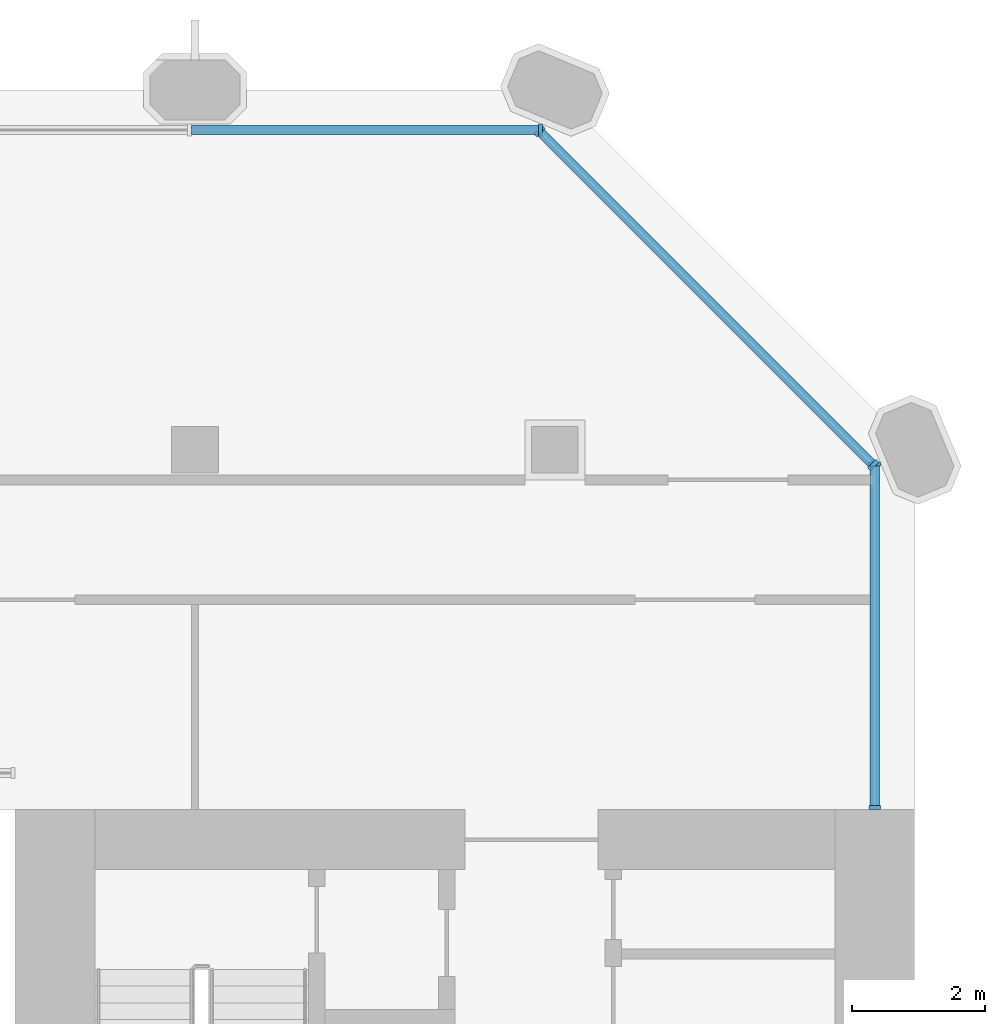
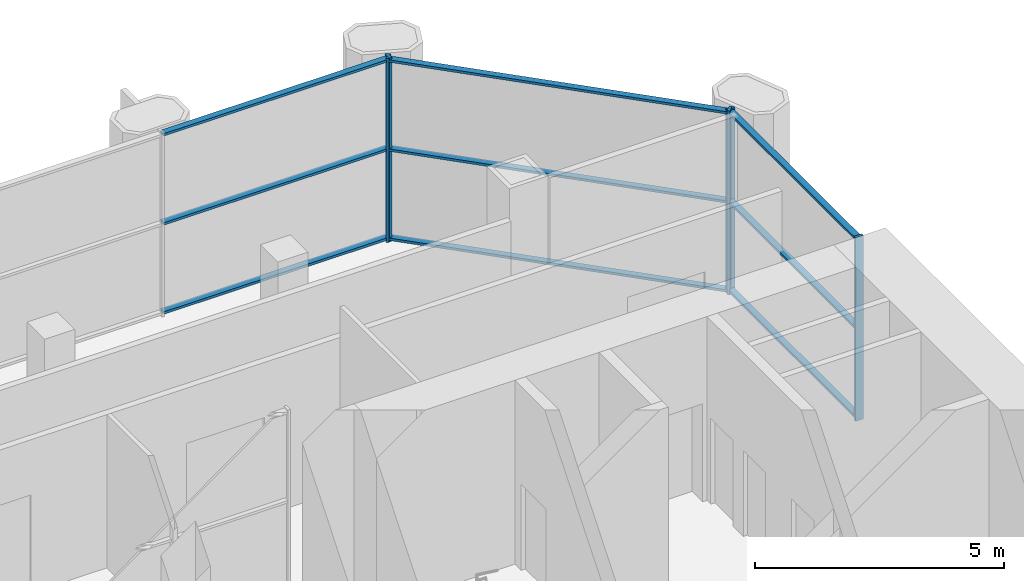
# One storey, part 7 of 14: 14 members, 3 elements without a shape of their own.
"""IFC4 building model written with IfcOpenShell, lengths in metres."""

from ifc_helpers import new_model, si_unit, direction, frame, origin, origin_2d, place, context, subcontext, project, spatial, rectangle, extrude, material, material_profile, profile_set, type_object, element, aggregate, save


model = new_model("IFC4")

# Units and contexts
model_context = context("Model", 3, precision=1e-05, world=origin(), true_north=direction((0.0, 1.0)))
body_context = subcontext(model_context, "Body", "Model", "MODEL_VIEW")
ifc_project = project(units=[si_unit("LENGTHUNIT", "METRE"), si_unit("AREAUNIT", "SQUARE_METRE"), si_unit("VOLUMEUNIT", "CUBIC_METRE"), si_unit("PLANEANGLEUNIT", "RADIAN"), si_unit("MASSUNIT", "GRAM", prefix="KILO")], contexts=[model_context])

# Site, building, storey
site_placement = place(None, origin())
site = spatial("IfcSite", under=ifc_project, at=site_placement, CompositionType="ELEMENT")
building_placement = place(site_placement, origin())
building = spatial("IfcBuilding", under=site, at=building_placement, Name="Tabaq Tower and Sports Hall", CompositionType="ELEMENT")
storey_placement = place(building_placement, frame((0.0, 0.0, 250.89990234375)))
storey = spatial("IfcBuildingStorey", under=building, at=storey_placement, Name="L61", CompositionType="ELEMENT", Elevation=250.89990234375)

# Curtain wall, members
ifc_material_1 = material(Name="Aluminium alloy 6063-T6 framed glazing", Category="aluminium")
curtain_wall_type = type_object("IfcCurtainWallType", Name="CW3 curtain wall", PredefinedType="USERDEFINED", material=ifc_material_1)
curtain_wall_1_placement = place(storey_placement, origin())
curtain_wall_1 = element("IfcCurtainWall", 1, at=curtain_wall_1_placement, inside=storey, type_object=curtain_wall_type, Name="Garden Floor Wall L61 E", ObjectType="GARDEN FLOOR WALL", PredefinedType="USERDEFINED")
ifc_material_2 = material(Name="Aluminium alloy 6063-T6", Category="aluminium")
ifc_material_profile_1 = material_profile(ifc_material_2, rectangle(XDim=0.179931640625, YDim=0.06005859375, at=origin_2d()), Name="MULLION 180x60")
ifc_profile_set_1 = profile_set([ifc_material_profile_1], Name="Aluminium alloy 6063-T6")
member_type_1 = type_object("IfcMemberType", Name="CW3 mullion 180x60", PredefinedType="MULLION", material=ifc_profile_set_1)
member_1_placement = place(storey_placement, frame((42.60009765625, 32.429931640625, 0.0), z_axis=(0.0, 0.0, 1.0), x_axis=(-1.0, 0.0, 0.0)))
member_1 = element("IfcMember", 2, at=member_1_placement, type_object=member_type_1, Name="CW3 mullion 1", PredefinedType="MULLION", context=body_context, shape_type="SweptSolid", body=[
    extrude(rectangle(XDim=0.179931640625, YDim=0.06005859375, at=origin_2d()), origin(), (0.0, 0.0, 1.0), 4.5),
])
member_2_placement = place(storey_placement, frame((42.60009765625, 37.58349609375, 0.0), z_axis=(0.0, 0.0, 1.0), x_axis=(-1.0, 0.0, 0.0)))
member_2 = element("IfcMember", 3, at=member_2_placement, type_object=member_type_1, Name="CW3 mullion 2", PredefinedType="MULLION", context=body_context, shape_type="SweptSolid", body=[
    extrude(rectangle(XDim=0.179931640625, YDim=0.06005859375, at=origin_2d()), origin(), (0.0, 0.0, 1.0), 4.5),
])

curtain_wall_2_placement = place(storey_placement, origin())
curtain_wall_2 = element("IfcCurtainWall", 4, at=curtain_wall_2_placement, inside=storey, type_object=curtain_wall_type, Name="Garden Floor Wall L61 NE", ObjectType="GARDEN FLOOR WALL", PredefinedType="USERDEFINED")
member_3_placement = place(storey_placement, frame((42.578857421875, 37.57275390625, 0.0), z_axis=(0.0, 0.0, 1.0), x_axis=(-0.707106781187, -0.707106781187, 0.0)))
member_3 = element("IfcMember", 5, at=member_3_placement, type_object=member_type_1, Name="CW3 mullion 1", PredefinedType="MULLION", context=body_context, shape_type="SweptSolid", body=[
    extrude(rectangle(XDim=0.179931640625, YDim=0.06005859375, at=origin_2d()), origin(), (0.0, 0.0, 1.0), 4.5),
])
member_4_placement = place(storey_placement, frame((37.57275390625, 42.578857421875, 0.0), z_axis=(0.0, 0.0, 1.0), x_axis=(-0.707106781187, -0.707106781187, 0.0)))
member_4 = element("IfcMember", 6, at=member_4_placement, type_object=member_type_1, Name="CW3 mullion 2", PredefinedType="MULLION", context=body_context, shape_type="SweptSolid", body=[
    extrude(rectangle(XDim=0.179931640625, YDim=0.06005859375, at=origin_2d()), origin(), (0.0, 0.0, 1.0), 4.5),
])

# Curtain wall, member
curtain_wall_3_placement = place(storey_placement, origin())
curtain_wall_3 = element("IfcCurtainWall", 7, at=curtain_wall_3_placement, inside=storey, type_object=curtain_wall_type, Name="Garden Floor Wall L61 N", ObjectType="GARDEN FLOOR WALL", PredefinedType="USERDEFINED")
member_5_placement = place(storey_placement, frame((37.58349609375, 42.60009765625, 0.0), z_axis=(0.0, 0.0, 1.0), x_axis=(0.0, -1.0, 0.0)))
member_5 = element("IfcMember", 8, at=member_5_placement, type_object=member_type_1, Name="CW3 mullion 1", PredefinedType="MULLION", context=body_context, shape_type="SweptSolid", body=[
    extrude(rectangle(XDim=0.179931640625, YDim=0.06005859375, at=origin_2d()), origin(), (0.0, 0.0, 1.0), 4.5),
])

# Member
ifc_material_3 = material(Name="Aluminium alloy 6063-T6", Category="aluminium")
ifc_material_profile_2 = material_profile(ifc_material_3, rectangle(XDim=0.139892578125, YDim=0.06005859375, at=origin_2d()), Name="TRANSOM 140x60")
ifc_profile_set_2 = profile_set([ifc_material_profile_2], Name="Aluminium alloy 6063-T6")
member_type_2 = type_object("IfcMemberType", Name="CW3 transom 140x60", PredefinedType="USERDEFINED", material=ifc_profile_set_2)
member_6_placement = place(storey_placement, frame((42.60009765625, 32.4599609375, 0.070068359375), z_axis=(0.0, 1.0, 0.0), x_axis=(-1.0, 0.0, 0.0)))
member_6 = element("IfcMember", 9, at=member_6_placement, type_object=member_type_2, Name="CW3 transom 1.1", ObjectType="TRANSOM", PredefinedType="USERDEFINED", context=body_context, shape_type="SweptSolid", body=[
    extrude(rectangle(XDim=0.139892578125, YDim=0.06005859375, at=origin_2d()), origin(), (0.0, 0.0, 1.0), 5.09375),
])

member_7_placement = place(storey_placement, frame((42.60009765625, 32.4599609375, 2.25), z_axis=(0.0, 1.0, 0.0), x_axis=(-1.0, 0.0, 0.0)))
member_7 = element("IfcMember", 10, at=member_7_placement, type_object=member_type_2, Name="CW3 transom 1.2", ObjectType="TRANSOM", PredefinedType="USERDEFINED", context=body_context, shape_type="SweptSolid", body=[
    extrude(rectangle(XDim=0.139892578125, YDim=0.06005859375, at=origin_2d()), origin(), (0.0, 0.0, 1.0), 5.09375),
])

member_8_placement = place(storey_placement, frame((42.60009765625, 32.4599609375, 4.43017578125), z_axis=(0.0, 1.0, 0.0), x_axis=(-1.0, 0.0, 0.0)))
member_8 = element("IfcMember", 11, at=member_8_placement, type_object=member_type_2, Name="CW3 transom 1.3", ObjectType="TRANSOM", PredefinedType="USERDEFINED", context=body_context, shape_type="SweptSolid", body=[
    extrude(rectangle(XDim=0.139892578125, YDim=0.06005859375, at=origin_2d()), origin(), (0.0, 0.0, 1.0), 5.09375),
])

aggregate(curtain_wall_1, [member_1, member_2, member_6, member_7, member_8])

member_9_placement = place(storey_placement, frame((42.5576171875, 37.593994140625, 0.070068359375), z_axis=(-0.707106781187, 0.707106781187, 0.0), x_axis=(-0.707106781187, -0.707106781187, 0.0)))
member_9 = element("IfcMember", 12, at=member_9_placement, type_object=member_type_2, Name="CW3 transom 1.1", ObjectType="TRANSOM", PredefinedType="USERDEFINED", context=body_context, shape_type="SweptSolid", body=[
    extrude(rectangle(XDim=0.139892578125, YDim=0.06005859375, at=origin_2d()), origin(), (0.0, 0.0, 1.0), 7.01953125),
])

member_10_placement = place(storey_placement, frame((42.5576171875, 37.593994140625, 2.25), z_axis=(-0.707106781187, 0.707106781187, 0.0), x_axis=(-0.707106781187, -0.707106781187, 0.0)))
member_10 = element("IfcMember", 13, at=member_10_placement, type_object=member_type_2, Name="CW3 transom 1.2", ObjectType="TRANSOM", PredefinedType="USERDEFINED", context=body_context, shape_type="SweptSolid", body=[
    extrude(rectangle(XDim=0.139892578125, YDim=0.06005859375, at=origin_2d()), origin(), (0.0, 0.0, 1.0), 7.01953125),
])

member_11_placement = place(storey_placement, frame((42.5576171875, 37.593994140625, 4.43017578125), z_axis=(-0.707106781187, 0.707106781187, 0.0), x_axis=(-0.707106781187, -0.707106781187, 0.0)))
member_11 = element("IfcMember", 14, at=member_11_placement, type_object=member_type_2, Name="CW3 transom 1.3", ObjectType="TRANSOM", PredefinedType="USERDEFINED", context=body_context, shape_type="SweptSolid", body=[
    extrude(rectangle(XDim=0.139892578125, YDim=0.06005859375, at=origin_2d()), origin(), (0.0, 0.0, 1.0), 7.01953125),
])

aggregate(curtain_wall_2, [member_3, member_4, member_9, member_10, member_11])

member_12_placement = place(storey_placement, frame((37.5537109375, 42.60009765625, 0.070068359375), z_axis=(-1.0, 0.0, 0.0), x_axis=(0.0, -1.0, 0.0)))
member_12 = element("IfcMember", 15, at=member_12_placement, type_object=member_type_2, Name="CW3 transom 1.1", ObjectType="TRANSOM", PredefinedType="USERDEFINED", context=body_context, shape_type="SweptSolid", body=[
    extrude(rectangle(XDim=0.139892578125, YDim=0.06005859375, at=origin_2d()), origin(), (0.0, 0.0, 1.0), 5.2041015625),
])

member_13_placement = place(storey_placement, frame((37.5537109375, 42.60009765625, 2.25), z_axis=(-1.0, 0.0, 0.0), x_axis=(0.0, -1.0, 0.0)))
member_13 = element("IfcMember", 16, at=member_13_placement, type_object=member_type_2, Name="CW3 transom 1.2", ObjectType="TRANSOM", PredefinedType="USERDEFINED", context=body_context, shape_type="SweptSolid", body=[
    extrude(rectangle(XDim=0.139892578125, YDim=0.06005859375, at=origin_2d()), origin(), (0.0, 0.0, 1.0), 5.2041015625),
])

member_14_placement = place(storey_placement, frame((37.5537109375, 42.60009765625, 4.43017578125), z_axis=(-1.0, 0.0, 0.0), x_axis=(0.0, -1.0, 0.0)))
member_14 = element("IfcMember", 17, at=member_14_placement, type_object=member_type_2, Name="CW3 transom 1.3", ObjectType="TRANSOM", PredefinedType="USERDEFINED", context=body_context, shape_type="SweptSolid", body=[
    extrude(rectangle(XDim=0.139892578125, YDim=0.06005859375, at=origin_2d()), origin(), (0.0, 0.0, 1.0), 5.2041015625),
])

aggregate(curtain_wall_3, [member_5, member_12, member_13, member_14])

save(model, "model.ifc")
